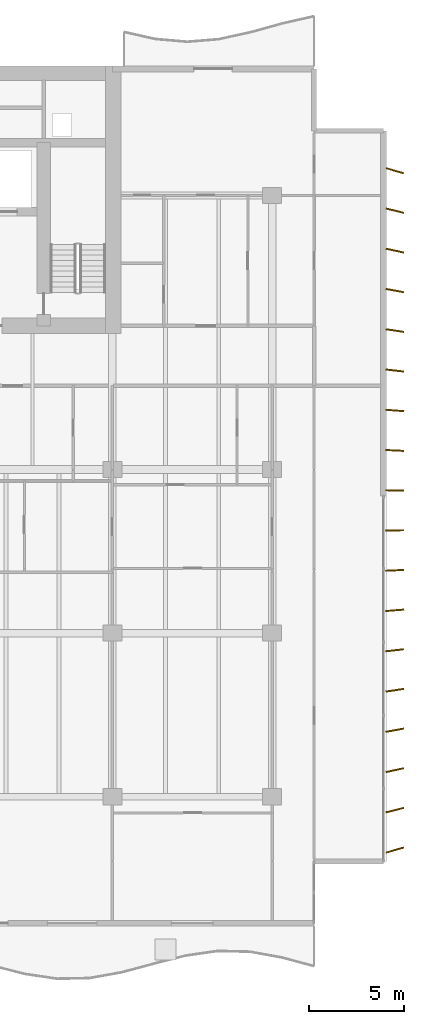
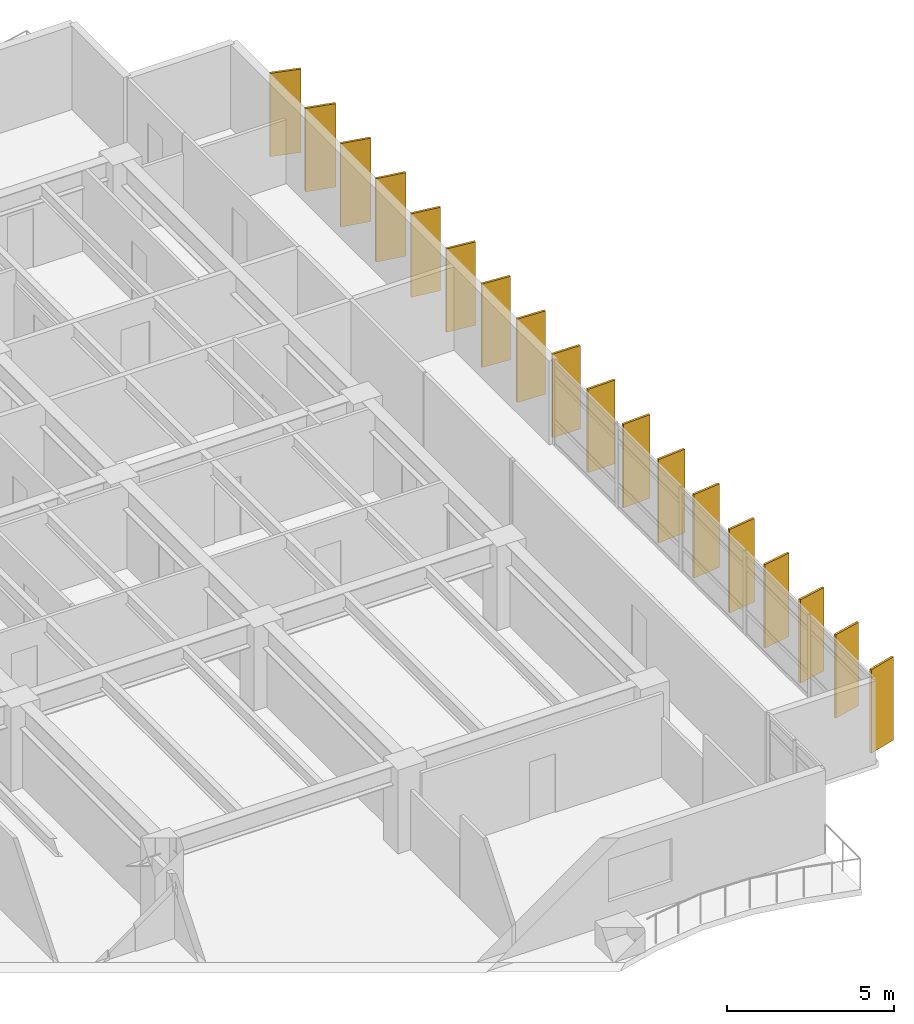
# One storey, part 19 of 19: 18 shading devices.
"""IFC4 building model written with IfcOpenShell, lengths in metres."""

from ifc_helpers import new_model, si_unit, direction, frame, origin, origin_2d, place, context, subcontext, project, spatial, rectangle, extrude, material, material_profile, profile_set, type_object, element, save


model = new_model("IFC4")

# Units and contexts
model_context = context("Model", 3, precision=1e-05, world=origin(), true_north=direction((0.0, 1.0)))
body_context = subcontext(model_context, "Body", "Model", "MODEL_VIEW")
ifc_project = project(units=[si_unit("LENGTHUNIT", "METRE"), si_unit("AREAUNIT", "SQUARE_METRE"), si_unit("VOLUMEUNIT", "CUBIC_METRE"), si_unit("PLANEANGLEUNIT", "RADIAN"), si_unit("MASSUNIT", "GRAM", prefix="KILO")], contexts=[model_context])

# Site, building, storey
site_placement = place(None, origin())
site = spatial("IfcSite", under=ifc_project, at=site_placement, CompositionType="ELEMENT")
building_placement = place(site_placement, origin())
building = spatial("IfcBuilding", under=site, at=building_placement, Name="Caelmar Bay Residences", CompositionType="ELEMENT")
storey_placement = place(building_placement, frame((0.0, 0.0, 91.199951171875)))
storey = spatial("IfcBuildingStorey", under=building, at=storey_placement, Name="L24", CompositionType="ELEMENT", Elevation=91.199951171875)

# Shading devices
ifc_material = material(Name="Anodised architectural bronze aluminium 6063-T6", Category="aluminium")
ifc_material_profile = material_profile(ifc_material, rectangle(XDim=0.074951171875, YDim=0.949951171875, at=origin_2d()), Name="BRONZE-FIN-75X950")
ifc_profile_set = profile_set([ifc_material_profile], Name="Anodised architectural bronze aluminium 6063-T6")
shading_device_type = type_object("IfcShadingDeviceType", Name="SHD-FIN-950", PredefinedType="USERDEFINED", material=ifc_profile_set)
for number, where, z_axis, x_axis, name in (
    (1, (74.35009765625, 9.39990234375, 0.0), (0.0, 0.0, 1.0), (-0.275637355817, 0.961261695938, 0.0), "L24 East Bronze Solar Fin 1"),
    (2, (74.35009765625, 11.5, 0.0), (0.0, 0.0, 1.0), (-0.243953546137, 0.969786918517, 0.0), "L24 East Bronze Solar Fin 2"),
    (3, (74.35009765625, 13.60009765625, 0.0), (0.0, 0.0, 1.0), (-0.212007109922, 0.977268123568, 0.0), "L24 East Bronze Solar Fin 3"),
    (4, (74.35009765625, 15.699951171875, 0.0), (0.0, 0.0, 1.0), (-0.179660748593, 0.98372862895, 0.0), "L24 East Bronze Solar Fin 4"),
    (5, (74.35009765625, 17.800048828125, 0.0), (0.0, 0.0, 1.0), (-0.147291543397, 0.989093120613, 0.0), "L24 East Bronze Solar Fin 5"),
    (6, (74.35009765625, 19.89990234375, 0.0), (0.0, 0.0, 1.0), (-0.114763772489, 0.993392810787, 0.0), "L24 East Bronze Solar Fin 6"),
    (7, (74.35009765625, 22.0, 0.0), (0.0, 0.0, 1.0), (-0.08211245342, 0.996623070671, 0.0), "L24 East Bronze Solar Fin 7"),
    (8, (74.35009765625, 24.10009765625, 0.0), (0.0, 0.0, 1.0), (-0.049198415926, 0.998789024705, 0.0), "L24 East Bronze Solar Fin 8"),
    (9, (74.35009765625, 26.199951171875, 0.0), (0.0, 0.0, 1.0), (-0.016405359001, 0.999865423043, 0.0), "L24 East Bronze Solar Fin 9"),
    (10, (74.35009765625, 28.300048828125, 0.0), (0.0, 0.0, 1.0), (0.016405359001, 0.999865423043, 0.0), "L24 East Bronze Solar Fin 10"),
    (11, (74.35009765625, 30.39990234375, 0.0), (0.0, 0.0, 1.0), (0.049198415926, 0.998789024705, 0.0), "L24 East Bronze Solar Fin 11"),
    (12, (74.35009765625, 32.5, 0.0), (0.0, 0.0, 1.0), (0.08211245342, 0.996623070671, 0.0), "L24 East Bronze Solar Fin 12"),
    (13, (74.35009765625, 34.60009765625, 0.0), (0.0, 0.0, 1.0), (0.114763772489, 0.993392810787, 0.0), "L24 East Bronze Solar Fin 13"),
    (14, (74.35009765625, 36.699951171875, 0.0), (0.0, 0.0, 1.0), (0.147291543397, 0.989093120613, 0.0), "L24 East Bronze Solar Fin 14"),
    (15, (74.35009765625, 38.800048828125, 0.0), (0.0, 0.0, 1.0), (0.179660748593, 0.98372862895, 0.0), "L24 East Bronze Solar Fin 15"),
    (16, (74.35009765625, 40.89990234375, 0.0), (0.0, 0.0, 1.0), (0.212007109922, 0.977268123568, 0.0), "L24 East Bronze Solar Fin 16"),
    (17, (74.35009765625, 43.0, 0.0), (0.0, 0.0, 1.0), (0.243953546137, 0.969786918517, 0.0), "L24 East Bronze Solar Fin 17"),
    (18, (74.35009765625, 45.10009765625, 0.0), (0.0, 0.0, 1.0), (0.275637355817, 0.961261695938, 0.0), "L24 East Bronze Solar Fin 18"),
):
    element("IfcShadingDevice", number, at=place(storey_placement, frame(where, z_axis=z_axis, x_axis=x_axis)), inside=storey, type_object=shading_device_type, Name=name, ObjectType="FIN", PredefinedType="USERDEFINED", context=body_context, shape_type="SweptSolid", body=[
        extrude(rectangle(XDim=0.074951171875, YDim=0.949951171875, at=origin_2d()), origin(), (0.0, 0.0, 1.0), 3.050048828125),
    ])

save(model, "model.ifc")
